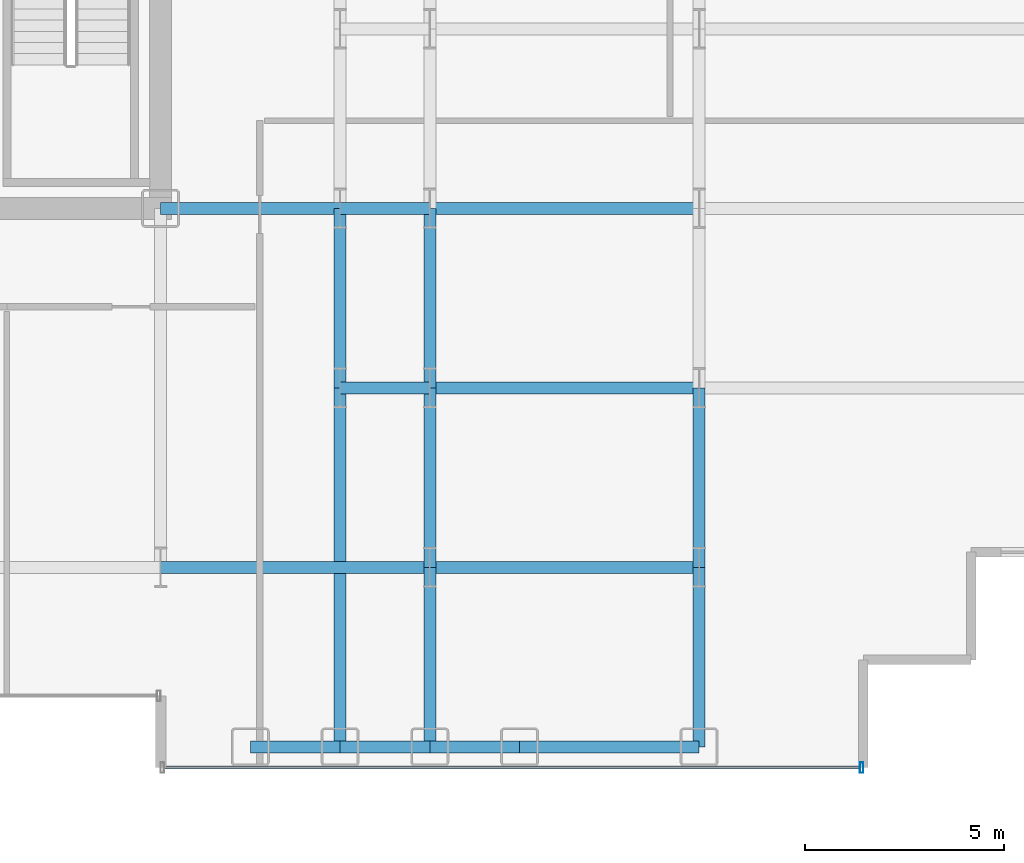
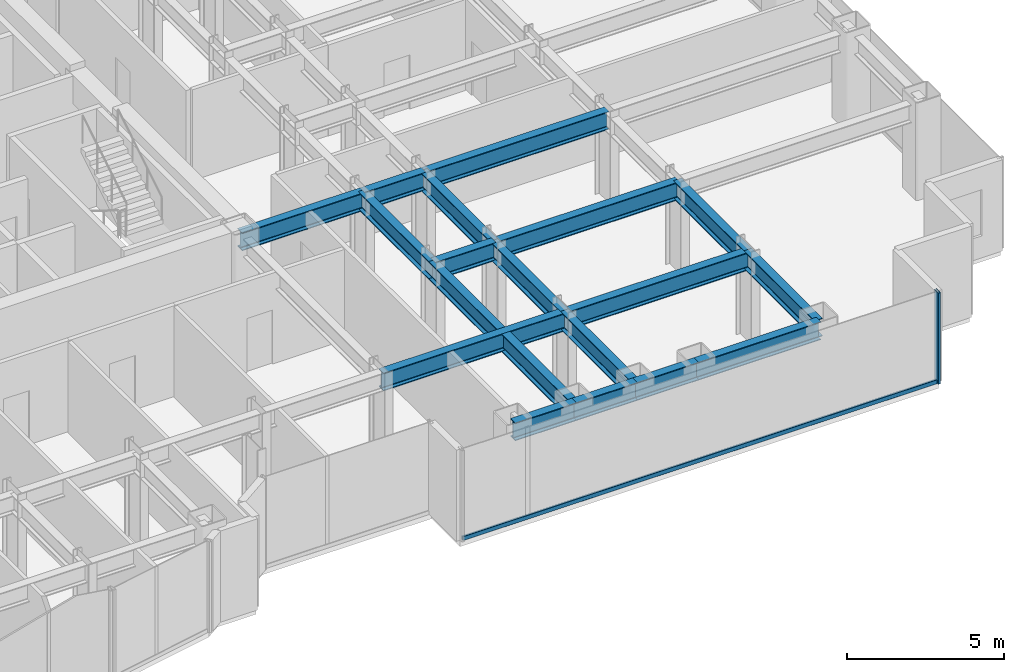
# One storey, part 7 of 26: 18 beams, 2 members, 1 element without a shape of its own.
"""IFC4 building model written with IfcOpenShell, lengths in metres."""

from ifc_helpers import new_model, si_unit, direction, frame, origin, origin_2d, place, context, subcontext, project, spatial, hollow_rectangle, i_section, extrude, source, transform, mapped, material, layer, layer_set, material_profile, profile_set, type_object, element, aggregate, save


model = new_model("IFC4")

# Units and contexts
model_context = context("Model", 3, precision=1e-05, world=origin(), true_north=direction((0.0, 1.0)))
body_context = subcontext(model_context, "Body", "Model", "MODEL_VIEW")
ifc_project = project(units=[si_unit("LENGTHUNIT", "METRE"), si_unit("AREAUNIT", "SQUARE_METRE"), si_unit("VOLUMEUNIT", "CUBIC_METRE"), si_unit("PLANEANGLEUNIT", "RADIAN"), si_unit("MASSUNIT", "GRAM", prefix="KILO")], contexts=[model_context])

# Site, building, storey
site_placement = place(None, origin())
site = spatial("IfcSite", under=ifc_project, at=site_placement, CompositionType="ELEMENT")
building_placement = place(site_placement, origin())
building = spatial("IfcBuilding", under=site, at=building_placement, Name="Nefas-Gora Pilgrimage Tower", CompositionType="ELEMENT")
storey_placement = place(building_placement, frame((0.0, 0.0, 94.60009765625)))
storey = spatial("IfcBuildingStorey", under=building, at=storey_placement, Name="L22", CompositionType="ELEMENT", Elevation=94.60009765625)

# Beams
ifc_material_1 = material(Name="Steel S355", Category="steel")
ifc_material_profile_1 = material_profile(ifc_material_1, i_section(OverallWidth=0.300048828125, OverallDepth=0.699951171875, WebThickness=0.01708984375, FlangeThickness=0.031982421875, FilletRadius=0.027099609375, at=origin_2d()), Name="HEB 700")
ifc_profile_set_1 = profile_set([ifc_material_profile_1], Name="Steel S355")
beam_type_1 = type_object("IfcBeamType", Name="BM-SPN-HEB600", PredefinedType="SPANDREL", material=ifc_profile_set_1)
shared_shape_1 = source(origin(), body_context, "Body", "SweptSolid", [
    extrude(i_section(OverallWidth=0.300048828125, OverallDepth=0.699951171875, WebThickness=0.01708984375, FlangeThickness=0.031982421875, FilletRadius=0.027099609375, at=origin_2d()), origin(), (0.0, 0.0, 1.0), 4.5),
])
beam_1_placement = place(storey_placement, frame((20.25, -22.5, 3.199951171875), z_axis=(1.0, 0.0, 0.0), x_axis=(0.0, 1.0, 0.0)))
element("IfcBeam", 1, at=beam_1_placement, inside=storey, type_object=beam_type_1, Name="L22 SP-01 beam", PredefinedType="SPANDREL", context=body_context, shape_type="MappedRepresentation", body=[
    mapped(shared_shape_1, transform((0.0, 0.0, 0.0), x_axis=(1.0, 0.0, 0.0), y_axis=(0.0, 1.0, 0.0), z_axis=(0.0, 0.0, 1.0), scale=1.0)),
])
ifc_material_profile_2 = material_profile(ifc_material_1, i_section(OverallWidth=0.300048828125, OverallDepth=0.699951171875, WebThickness=0.01708984375, FlangeThickness=0.031982421875, FilletRadius=0.027099609375, at=origin_2d()), Name="HEB 700")
ifc_profile_set_2 = profile_set([ifc_material_profile_2], Name="Steel S355")
beam_type_2 = type_object("IfcBeamType", Name="BM-GIR-HEB700", PredefinedType="BEAM", material=ifc_profile_set_2)
shared_shape_2 = source(origin(), body_context, "Body", "SweptSolid", [
    extrude(i_section(OverallWidth=0.300048828125, OverallDepth=0.699951171875, WebThickness=0.01708984375, FlangeThickness=0.031982421875, FilletRadius=0.027099609375, at=origin_2d()), origin(), (0.0, 0.0, 1.0), 9.0),
])
beam_2_placement = place(storey_placement, frame((15.75, -22.5, 3.199951171875), z_axis=(0.0, 1.0, 0.0), x_axis=(-1.0, 0.0, 0.0)))
element("IfcBeam", 2, at=beam_2_placement, inside=storey, type_object=beam_type_2, Name="L22 G-02 beam", PredefinedType="BEAM", context=body_context, shape_type="MappedRepresentation", body=[
    mapped(shared_shape_2, transform((0.0, 0.0, 0.0), x_axis=(1.0, 0.0, 0.0), y_axis=(0.0, 1.0, 0.0), z_axis=(0.0, 0.0, 1.0), scale=1.0)),
])
shared_shape_3 = source(origin(), body_context, "Body", "SweptSolid", [
    extrude(i_section(OverallWidth=0.300048828125, OverallDepth=0.699951171875, WebThickness=0.01708984375, FlangeThickness=0.031982421875, FilletRadius=0.027099609375, at=origin_2d()), origin(), (0.0, 0.0, 1.0), 4.5),
])
for number, where, z_axis, x_axis, name in (
    (3, (11.25, -9.0, 3.199951171875), (1.0, 0.0, 0.0), (0.0, 1.0, 0.0), "L22 G-02 beam"),
    (4, (15.75, -13.5, 3.199951171875), (0.0, 1.0, 0.0), (-1.0, 0.0, 0.0), "L22 G-02 beam"),
    (5, (18.0, -22.5, 3.199951171875), (0.0, 1.0, 0.0), (-1.0, 0.0, 0.0), "L22 G-02 beam"),
    (6, (18.0, -18.0, 3.199951171875), (0.0, 1.0, 0.0), (-1.0, 0.0, 0.0), "L22 G-02 beam"),
    (7, (18.0, -13.5, 3.199951171875), (0.0, 1.0, 0.0), (-1.0, 0.0, 0.0), "L22 G-02 beam"),
    (8, (24.75, -22.5, 3.199951171875), (0.0, 1.0, 0.0), (-1.0, 0.0, 0.0), "L22 G-02 beam"),
    (9, (24.75, -18.0, 3.199951171875), (0.0, 1.0, 0.0), (-1.0, 0.0, 0.0), "L22 G-02 beam"),
):
    element("IfcBeam", number, at=place(storey_placement, frame(where, z_axis=z_axis, x_axis=x_axis)), inside=storey, type_object=beam_type_2, Name=name, PredefinedType="BEAM", context=body_context, shape_type="MappedRepresentation", body=[
        mapped(shared_shape_3, transform((0.0, 0.0, 0.0), x_axis=(1.0, 0.0, 0.0), y_axis=(0.0, 1.0, 0.0), z_axis=(0.0, 0.0, 1.0), scale=1.0)),
    ])
shared_shape_4 = source(origin(), body_context, "Body", "SweptSolid", [
    extrude(i_section(OverallWidth=0.300048828125, OverallDepth=0.699951171875, WebThickness=0.01708984375, FlangeThickness=0.031982421875, FilletRadius=0.027099609375, at=origin_2d()), origin(), (0.0, 0.0, 1.0), 6.75),
])
for number, where, z_axis, x_axis, name in (
    (10, (11.25, -18.0, 3.199951171875), (1.0, 0.0, 0.0), (0.0, 1.0, 0.0), "L22 G-02 beam"),
    (11, (18.0, -18.0, 3.199951171875), (1.0, 0.0, 0.0), (0.0, 1.0, 0.0), "L22 G-02 beam"),
    (12, (18.0, -13.5, 3.199951171875), (1.0, 0.0, 0.0), (0.0, 1.0, 0.0), "L22 G-02 beam"),
    (13, (18.0, -9.0, 3.199951171875), (1.0, 0.0, 0.0), (0.0, 1.0, 0.0), "L22 G-02 beam"),
):
    element("IfcBeam", number, at=place(storey_placement, frame(where, z_axis=z_axis, x_axis=x_axis)), inside=storey, type_object=beam_type_2, Name=name, PredefinedType="BEAM", context=body_context, shape_type="MappedRepresentation", body=[
        mapped(shared_shape_4, transform((0.0, 0.0, 0.0), x_axis=(1.0, 0.0, 0.0), y_axis=(0.0, 1.0, 0.0), z_axis=(0.0, 0.0, 1.0), scale=1.0)),
    ])
shared_shape_5 = source(origin(), body_context, "Body", "SweptSolid", [
    extrude(i_section(OverallWidth=0.300048828125, OverallDepth=0.699951171875, WebThickness=0.01708984375, FlangeThickness=0.031982421875, FilletRadius=0.027099609375, at=origin_2d()), origin(), (0.0, 0.0, 1.0), 2.25),
])
for number, where, z_axis, x_axis, name in (
    (14, (13.5, -22.5, 3.199951171875), (1.0, 0.0, 0.0), (0.0, 1.0, 0.0), "L22 SP-01 beam"),
    (15, (15.75, -22.5, 3.199951171875), (1.0, 0.0, 0.0), (0.0, 1.0, 0.0), "L22 SP-01 beam"),
    (16, (18.0, -22.5, 3.199951171875), (1.0, 0.0, 0.0), (0.0, 1.0, 0.0), "L22 SP-01 beam"),
):
    element("IfcBeam", number, at=place(storey_placement, frame(where, z_axis=z_axis, x_axis=x_axis)), inside=storey, type_object=beam_type_1, Name=name, PredefinedType="SPANDREL", context=body_context, shape_type="MappedRepresentation", body=[
        mapped(shared_shape_5, transform((0.0, 0.0, 0.0), x_axis=(1.0, 0.0, 0.0), y_axis=(0.0, 1.0, 0.0), z_axis=(0.0, 0.0, 1.0), scale=1.0)),
    ])
shared_shape_6 = source(origin(), body_context, "Body", "SweptSolid", [
    extrude(i_section(OverallWidth=0.300048828125, OverallDepth=0.699951171875, WebThickness=0.01708984375, FlangeThickness=0.031982421875, FilletRadius=0.027099609375, at=origin_2d()), origin(), (0.0, 0.0, 1.0), 2.25),
])
for number, where, z_axis, x_axis, name in (
    (17, (15.75, -13.5, 3.199951171875), (1.0, 0.0, 0.0), (0.0, 1.0, 0.0), "L22 G-02 beam"),
    (18, (15.75, -9.0, 3.199951171875), (1.0, 0.0, 0.0), (0.0, 1.0, 0.0), "L22 G-02 beam"),
):
    element("IfcBeam", number, at=place(storey_placement, frame(where, z_axis=z_axis, x_axis=x_axis)), inside=storey, type_object=beam_type_2, Name=name, PredefinedType="BEAM", context=body_context, shape_type="MappedRepresentation", body=[
        mapped(shared_shape_6, transform((0.0, 0.0, 0.0), x_axis=(1.0, 0.0, 0.0), y_axis=(0.0, 1.0, 0.0), z_axis=(0.0, 0.0, 1.0), scale=1.0)),
    ])

# Curtain wall, members
ifc_material_2 = material(Name="Dark ceramic-fritted solar-control aluminium-glass curtain wall", Category="aluminium")
ifc_layer = layer(ifc_material_2, 0.219970703125)
ifc_layer_set = layer_set([ifc_layer], Name="Dark ceramic-fritted solar-control aluminium-glass curtain wall")
curtain_wall_type = type_object("IfcCurtainWallType", Name="CW-SYS-2", PredefinedType="NOTDEFINED", material=ifc_layer_set)
curtain_wall_placement = place(storey_placement, origin())
curtain_wall = element("IfcCurtainWall", 19, at=curtain_wall_placement, inside=storey, type_object=curtain_wall_type, Name="L22 Unitised Curtain Wall CW2", PredefinedType="NOTDEFINED")
ifc_material_3 = material(Name="Anodised architectural aluminium", Category="aluminium")
ifc_material_profile_3 = material_profile(ifc_material_3, hollow_rectangle(XDim=0.080078125, YDim=0.159912109375, WallThickness=0.00439453125, InnerFilletRadius=0.00439453125, OuterFilletRadius=0.009033203125, at=origin_2d()), Name="ALU TRANSOM 80x160")
ifc_profile_set_3 = profile_set([ifc_material_profile_3], Name="Anodised architectural aluminium")
member_type_1 = type_object("IfcMemberType", Name="CWM-TRN-2", PredefinedType="USERDEFINED", material=ifc_profile_set_3)
shared_shape_7 = source(origin(), body_context, "Body", "SweptSolid", [
    extrude(hollow_rectangle(XDim=0.080078125, YDim=0.159912109375, WallThickness=0.00439453125, InnerFilletRadius=0.00439453125, OuterFilletRadius=0.009033203125, at=origin_2d()), origin(), (0.0, 0.0, 1.0), 17.43994140625),
])
member_1_placement = place(storey_placement, frame((11.340087890625, -23.02001953125, 0.0498046875), z_axis=(1.0, 0.0, 0.0), x_axis=(0.0, 1.0, 0.0)))
member_1 = element("IfcMember", 20, at=member_1_placement, type_object=member_type_1, Name="CW2 Spandrel Transom", ObjectType="TRANSOM", PredefinedType="USERDEFINED", context=body_context, shape_type="MappedRepresentation", body=[
    mapped(shared_shape_7, transform((0.0, 0.0, 0.0), x_axis=(1.0, 0.0, 0.0), y_axis=(0.0, 1.0, 0.0), z_axis=(0.0, 0.0, 1.0), scale=1.0)),
])
ifc_material_profile_4 = material_profile(ifc_material_3, hollow_rectangle(XDim=0.090087890625, YDim=0.260009765625, WallThickness=0.006103515625, InnerFilletRadius=0.006103515625, OuterFilletRadius=0.011962890625, at=origin_2d()), Name="ALU MULLION 90x260")
ifc_profile_set_4 = profile_set([ifc_material_profile_4], Name="Anodised architectural aluminium")
member_type_2 = type_object("IfcMemberType", Name="CWM-MUL-2", PredefinedType="MULLION", material=ifc_profile_set_4)
shared_shape_8 = source(origin(), body_context, "Body", "SweptSolid", [
    extrude(hollow_rectangle(XDim=0.090087890625, YDim=0.260009765625, WallThickness=0.006103515625, InnerFilletRadius=0.006103515625, OuterFilletRadius=0.011962890625, at=origin_2d()), origin(), (0.0, 0.0, 1.0), 3.5498046875),
])
member_2_placement = place(storey_placement, frame((28.824951171875, -23.02001953125, 0.0), z_axis=(0.0, 0.0, 1.0), x_axis=(1.0, 0.0, 0.0)))
member_2 = element("IfcMember", 21, at=member_2_placement, type_object=member_type_2, Name="CW2 Mullion 2", PredefinedType="MULLION", context=body_context, shape_type="MappedRepresentation", body=[
    mapped(shared_shape_8, transform((0.0, 0.0, 0.0), x_axis=(1.0, 0.0, 0.0), y_axis=(0.0, 1.0, 0.0), z_axis=(0.0, 0.0, 1.0), scale=1.0)),
])
aggregate(curtain_wall, [member_2, member_1])

save(model, "model.ifc")
